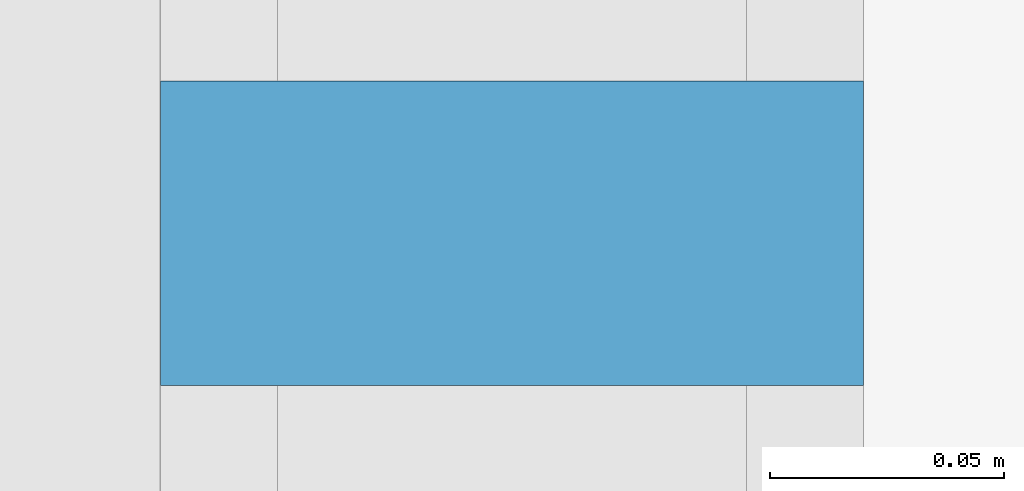
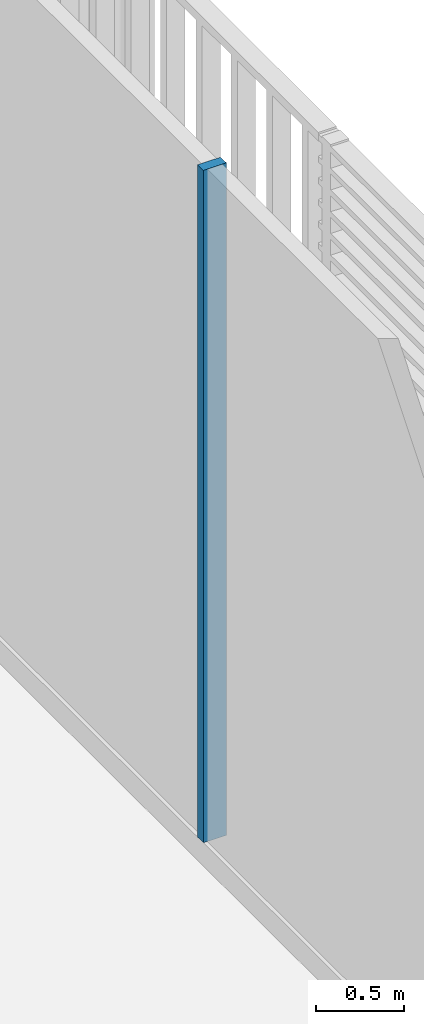
# One storey, part 11 of 22: 1 member, 1 element without a shape of its own.
"""IFC4 building model written with IfcOpenShell, lengths in metres."""

import ifcopenshell
import ifcopenshell.guid

model = None  # the IFC model being written
_history = None  # IfcOwnerHistory: only IFC2X3 demands one
_inside = {}  # id of a spatial element -> (the spatial element, [elements in it])
_under = {}  # id of a project, library or spatial element -> (it, [spatial elements below it])
_declared = {}  # id of a project -> (the project, [libraries it declares])
_typed = {}  # id of a type object -> (the type object, [elements of that type])
_made_of = {}  # id of a material, layer set ... -> (it, [elements and type objects made of it])


def new_model(schema):
    """Start an empty IFC model of exactly this schema.

    Asked for "IFC4X3", IfcOpenShell would pick the latest addendum, in which some entities
    have other attributes; the version numbers below select the first issue.
    IFC2X3 requires an IfcOwnerHistory on every rooted entity: one is made here for all.
    """
    global model, _history
    if schema == "IFC4X3":
        model = ifcopenshell.file(schema_version=(4, 3, 0, 0))
    else:
        model = ifcopenshell.file(schema=schema)
    _inside.clear()
    _under.clear()
    _declared.clear()
    _typed.clear()
    _made_of.clear()
    _history = None
    if model.schema == "IFC2X3":
        org = make("IfcOrganization", Name="unknown")
        user = make(
            "IfcPersonAndOrganization",
            ThePerson=make("IfcPerson", FamilyName="unknown"),
            TheOrganization=org,
        )
        app = make(
            "IfcApplication",
            ApplicationDeveloper=org,
            Version="unknown",
            ApplicationFullName="unknown",
            ApplicationIdentifier="unknown",
        )
        _history = make(
            "IfcOwnerHistory",
            OwningUser=user,
            OwningApplication=app,
            ChangeAction="ADDED",
            CreationDate=0,
        )
    return model


def make(cls, **values):
    """One entity of the class cls with the attributes given. An attribute that is None is left unset."""
    return model.create_entity(
        cls, **{name: value for name, value in values.items() if value is not None}
    )


def rooted(cls, **values):
    """An entity with a GlobalId (a new one), such as an element, a storey or a relation."""
    return make(cls, GlobalId=ifcopenshell.guid.new(), OwnerHistory=_history, **values)


def si_unit(unit_type, name, prefix=None):
    """IfcSIUnit, for example si_unit("LENGTHUNIT", "METRE", prefix="MILLI")."""
    return make("IfcSIUnit", UnitType=unit_type, Prefix=prefix, Name=name)


def assignment(units):
    """IfcUnitAssignment: the units of a project."""
    return None if units is None else make("IfcUnitAssignment", Units=units)


def point(xyz):
    """IfcCartesianPoint."""
    return None if xyz is None else make("IfcCartesianPoint", Coordinates=xyz)


def direction(xyz):
    """IfcDirection."""
    return None if xyz is None else make("IfcDirection", DirectionRatios=xyz)


def frame(location, z_axis=None, x_axis=None):
    """IfcAxis2Placement3D, a coordinate frame: its origin and axes. An axis left out is left unset."""
    return make(
        "IfcAxis2Placement3D",
        Location=point(location),
        Axis=direction(z_axis),
        RefDirection=direction(x_axis),
    )


def frame_2d(location, x_axis=None):
    """IfcAxis2Placement2D, a coordinate frame in the plane: its origin and x axis."""
    return make(
        "IfcAxis2Placement2D", Location=point(location), RefDirection=direction(x_axis)
    )


def origin():
    """The frame at (0, 0, 0) with its axes left unset."""
    return frame((0.0, 0.0, 0.0))


def origin_2d():
    """The frame at (0, 0) in the plane with its x axis left unset."""
    return frame_2d((0.0, 0.0))


def place(relative_to, where):
    """IfcLocalPlacement: puts the frame where relative to a parent placement (None: the world)."""
    return make(
        "IfcLocalPlacement", PlacementRelTo=relative_to, RelativePlacement=where
    )


def context(
    kind, dimensions, precision=None, world=None, true_north=None, identifier=None
):
    """IfcGeometricRepresentationContext, for example the 3D "Model" context."""
    return make(
        "IfcGeometricRepresentationContext",
        ContextIdentifier=identifier,
        ContextType=kind,
        CoordinateSpaceDimension=dimensions,
        Precision=precision,
        WorldCoordinateSystem=world,
        TrueNorth=true_north,
    )


def subcontext(parent, identifier, kind, view, scale=None):
    """IfcGeometricRepresentationSubContext, for example "Body" below "Model"."""
    return make(
        "IfcGeometricRepresentationSubContext",
        ContextIdentifier=identifier,
        ContextType=kind,
        ParentContext=parent,
        TargetScale=scale,
        TargetView=view,
    )


def project(units=None, contexts=None):
    """IfcProject with its units and contexts."""
    return rooted(
        "IfcProject",
        Name="project",
        RepresentationContexts=contexts,
        UnitsInContext=assignment(units),
    )


def spatial(cls, under=None, at=None, **own):
    """A site, building, storey or space (cls), placed at a placement, below another one or the project."""
    s = rooted(cls, ObjectPlacement=at, **own)
    if under is not None:
        _under.setdefault(under.id(), (under, []))[1].append(s)
    return s


def profile(cls, at=None, kind="AREA", **sizes):
    """A parametric profile (cls). Its sizes go by their IFC names, for example OverallWidth=200.0."""
    return make(cls, ProfileType=kind, Position=at, **sizes)


def rectangle(**sizes):
    """IfcRectangleProfileDef."""
    return profile("IfcRectangleProfileDef", **sizes)


def extrude(swept, where, along, depth):
    """IfcExtrudedAreaSolid: the profile swept, set in the frame where, extruded along a direction by depth."""
    return make(
        "IfcExtrudedAreaSolid",
        SweptArea=swept,
        Position=where,
        ExtrudedDirection=direction(along),
        Depth=depth,
    )


def shape(context_of_items, identifier, shape_type, items):
    """IfcShapeRepresentation: the items that make up one representation, for example the "Body"."""
    return make(
        "IfcShapeRepresentation",
        ContextOfItems=context_of_items,
        RepresentationIdentifier=identifier,
        RepresentationType=shape_type,
        Items=items,
    )


def material(Name=None, Category=None):
    """IfcMaterial."""
    return make("IfcMaterial", Name=Name, Category=Category)


def layer(
    of_material, thickness, ventilated=None, Name=None, Category=None, Priority=None
):
    """IfcMaterialLayer: one layer of a wall or slab, of a material (None: an air gap)."""
    return make(
        "IfcMaterialLayer",
        Material=of_material,
        LayerThickness=thickness,
        IsVentilated=ventilated,
        Name=Name,
        Category=Category,
        Priority=Priority,
    )


def layer_set(layers, Name=None):
    """IfcMaterialLayerSet."""
    return make("IfcMaterialLayerSet", MaterialLayers=layers, LayerSetName=Name)


def material_profile(
    of_material, cross_section, Name=None, Category=None, Priority=None
):
    """IfcMaterialProfile: a cross section and its material."""
    return make(
        "IfcMaterialProfile",
        Name=Name,
        Material=of_material,
        Profile=cross_section,
        Priority=Priority,
        Category=Category,
    )


def profile_set(profiles, Name=None, composite=None):
    """IfcMaterialProfileSet."""
    return make(
        "IfcMaterialProfileSet",
        Name=Name,
        MaterialProfiles=profiles,
        CompositeProfile=composite,
    )


def made_of(thing, what):
    """Note that an element or type object is made of a material, layer set ...; save() writes the relation."""
    if what is not None:
        _made_of.setdefault(what.id(), (what, []))[1].append(thing)
    return thing


def type_object(cls, material=None, **own):
    """A type object (cls), such as IfcWallType, which elements share."""
    return made_of(rooted(cls, **own), material)


def element(
    cls,
    number,
    at=None,
    inside=None,
    cuts=None,
    type_object=None,
    material=None,
    context=None,
    identifier="Body",
    shape_type=None,
    held_by="IfcProductDefinitionShape",
    body=None,
    shapes=None,
    **own,
):
    """One element of the class cls, such as IfcWall. Its Tag is "e" and its number.

    at: its placement. inside: the storey or other place that contains it. cuts: it is an
    opening in that element (IfcRelVoidsElement). A single representation is given by context,
    identifier, shape_type and body (its items); several are given by shapes. held_by: the class
    of the entity that holds the representations. save() writes the other relations.
    """
    e = rooted(cls, Tag="e%d" % number, ObjectPlacement=at, **own)
    if body is not None:
        shapes = [shape(context, identifier, shape_type, body)]
    if shapes is not None:
        e.Representation = make(held_by, Representations=shapes)
    if inside is not None:
        _inside.setdefault(inside.id(), (inside, []))[1].append(e)
    if cuts is not None:
        rooted(
            "IfcRelVoidsElement", RelatingBuildingElement=cuts, RelatedOpeningElement=e
        )
    if type_object is not None:
        _typed.setdefault(type_object.id(), (type_object, []))[1].append(e)
    return made_of(e, material)


def aggregate(whole, parts):
    """IfcRelAggregates: a whole, such as a stair, and the parts it consists of."""
    return rooted("IfcRelAggregates", RelatingObject=whole, RelatedObjects=parts)


def save(model, path):
    """Write the relations noted so far, then the file.

    IfcRelAggregates (storeys below a building ...), IfcRelContainedInSpatialStructure (elements
    in a storey), IfcRelDefinesByType, IfcRelAssociatesMaterial and IfcRelDeclares: one each for
    every whole, place, type object, material and project.
    """
    for whole, parts in _under.values():
        aggregate(whole, parts)
    for where, things in _inside.values():
        rooted(
            "IfcRelContainedInSpatialStructure",
            RelatedElements=things,
            RelatingStructure=where,
        )
    for kind, things in _typed.values():
        rooted("IfcRelDefinesByType", RelatedObjects=things, RelatingType=kind)
    for what, things in _made_of.values():
        rooted("IfcRelAssociatesMaterial", RelatedObjects=things, RelatingMaterial=what)
    for by, libraries in _declared.values():
        rooted("IfcRelDeclares", RelatingContext=by, RelatedDefinitions=libraries)
    model.write(path)


model = new_model("IFC4")

# Units and contexts
model_context = context("Model", 3, precision=1e-05, world=origin(), true_north=direction((0.0, 1.0)))
body_context = subcontext(model_context, "Body", "Model", "MODEL_VIEW")
ifc_project = project(units=[si_unit("LENGTHUNIT", "METRE"), si_unit("AREAUNIT", "SQUARE_METRE"), si_unit("VOLUMEUNIT", "CUBIC_METRE"), si_unit("PLANEANGLEUNIT", "RADIAN"), si_unit("MASSUNIT", "GRAM", prefix="KILO")], contexts=[model_context])

# Site, building, storey
site_placement = place(None, origin())
site = spatial("IfcSite", under=ifc_project, at=site_placement, CompositionType="ELEMENT")
building_placement = place(site_placement, origin())
building = spatial("IfcBuilding", under=site, at=building_placement, Name="Millrace Tower", CompositionType="ELEMENT")
storey_placement = place(building_placement, frame((0.0, 0.0, 54.5)))
storey = spatial("IfcBuildingStorey", under=building, at=storey_placement, Name="L12", CompositionType="ELEMENT", Elevation=54.5)

# Curtain wall, member
ifc_material_1 = material(Name="Aluminium and glass", Category="aluminium")
ifc_layer = layer(ifc_material_1, 0.14990234375)
ifc_layer_set = layer_set([ifc_layer], Name="Aluminium and glass")
curtain_wall_type = type_object("IfcCurtainWallType", Name="CW-2 data hall insulated curtain wall", PredefinedType="NOTDEFINED", material=ifc_layer_set)
curtain_wall_placement = place(storey_placement, origin())
curtain_wall = element("IfcCurtainWall", 1, at=curtain_wall_placement, inside=storey, type_object=curtain_wall_type, Name="Curtain wall A-F04 L12", PredefinedType="NOTDEFINED")
ifc_material_2 = material(Name="Aluminium", Category="aluminium")
ifc_material_profile = material_profile(ifc_material_2, rectangle(XDim=0.06494140625, YDim=0.14990234375, at=origin_2d()))
ifc_profile_set = profile_set([ifc_material_profile], Name="Aluminium")
member_type = type_object("IfcMemberType", Name="CW-2 data hall insulated curtain wall mullion", PredefinedType="MULLION", material=ifc_profile_set)
member_placement = place(storey_placement, frame((25.074951171875, 2.382568359375, 0.159912109375), z_axis=(0.0, 0.0, 1.0), x_axis=(0.0, 1.0, 0.0)))
member = element("IfcMember", 2, at=member_placement, type_object=member_type, Name="CW2 mullion A-F04.6", PredefinedType="MULLION", context=body_context, shape_type="SweptSolid", body=[
    extrude(rectangle(XDim=0.06494140625, YDim=0.14990234375, at=origin_2d()), origin(), (0.0, 0.0, 1.0), 4.64013671875),
])
aggregate(curtain_wall, [member])

save(model, "model.ifc")
